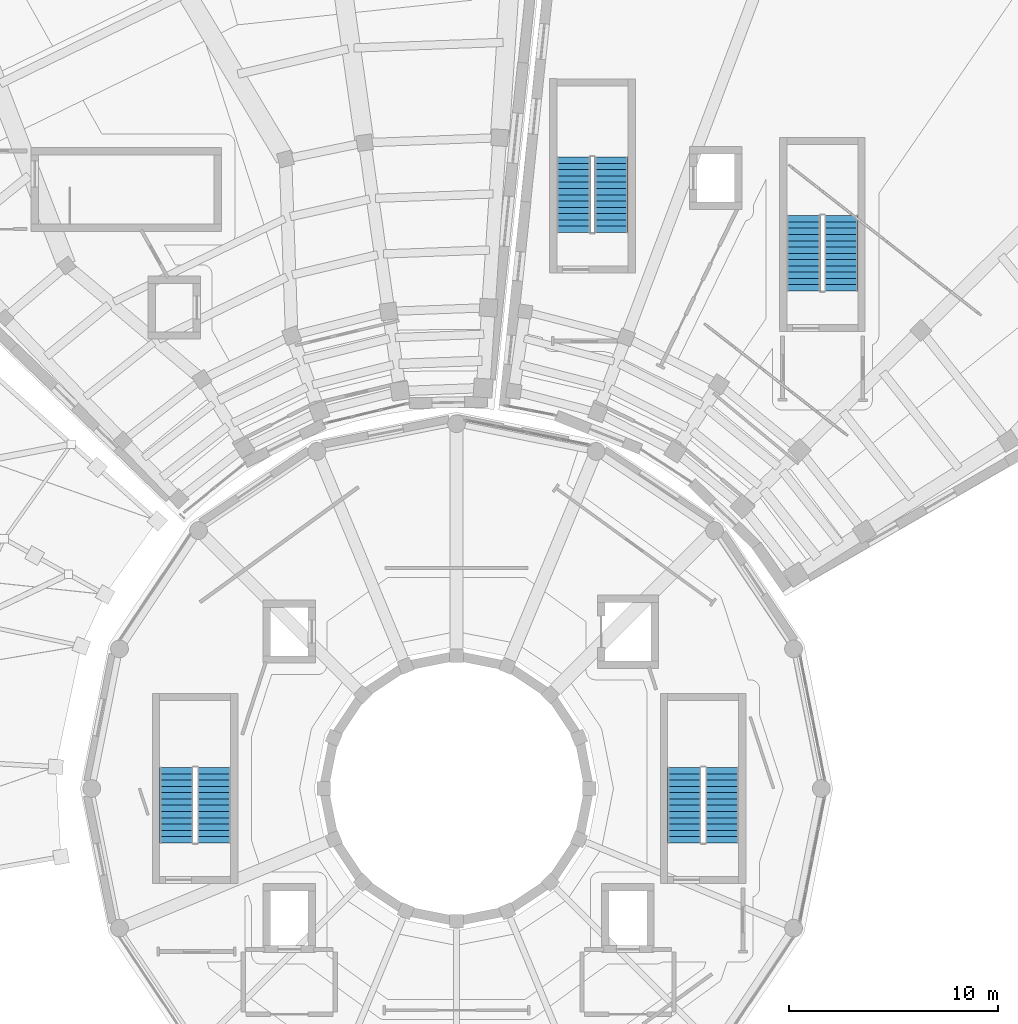
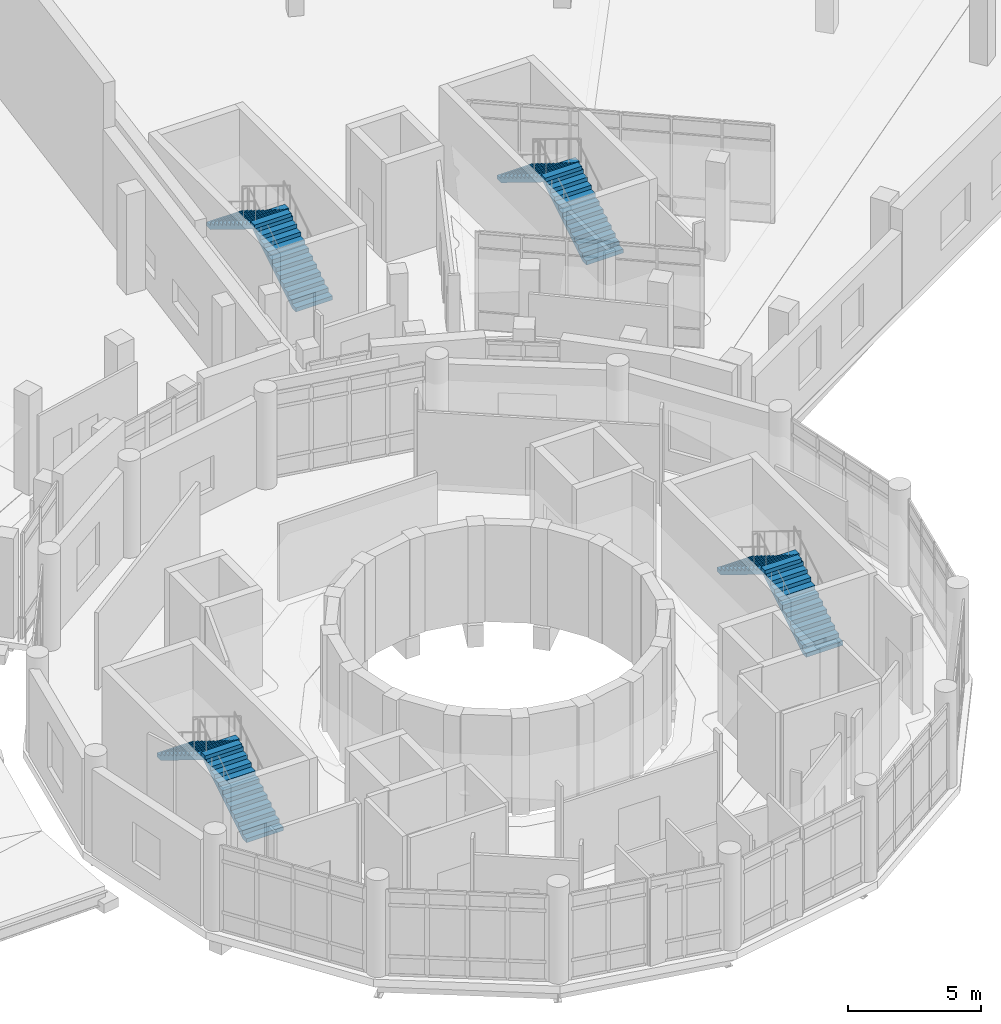
# One storey, part 41 of 49: 8 stair flights, 4 elements without a shape of their own.
"""IFC4 building model written with IfcOpenShell, lengths in metres."""

from ifc_helpers import new_model, si_unit, direction, frame, origin, place, context, subcontext, project, spatial, polyline, outline, extrude, material, type_object, element, aggregate, save


model = new_model("IFC4")

# Units and contexts
model_context = context("Model", 3, precision=1e-05, world=origin(), true_north=direction((0.0, 1.0)))
body_context = subcontext(model_context, "Body", "Model", "MODEL_VIEW")
ifc_project = project(units=[si_unit("LENGTHUNIT", "METRE"), si_unit("AREAUNIT", "SQUARE_METRE"), si_unit("VOLUMEUNIT", "CUBIC_METRE"), si_unit("PLANEANGLEUNIT", "RADIAN"), si_unit("MASSUNIT", "GRAM", prefix="KILO")], contexts=[model_context])

# Site, building, storey
site_placement = place(None, origin())
site = spatial("IfcSite", under=ifc_project, at=site_placement, CompositionType="ELEMENT")
building_placement = place(site_placement, origin())
building = spatial("IfcBuilding", under=site, at=building_placement, Name="Soyqirgoq Riverine Aquarium", CompositionType="ELEMENT")
storey_placement = place(building_placement, frame((0.0, 0.0, 15.0)))
storey = spatial("IfcBuildingStorey", under=building, at=storey_placement, Name="L04", CompositionType="ELEMENT", Elevation=15.0)

# Stair, stair flights
ifc_material_1 = material(Name="Concrete C35/45", Category="concrete")
stair_type = type_object("IfcStairType", Name="CoreDoglegStair_RC", PredefinedType="HALF_TURN_STAIR", material=ifc_material_1)
stair_1_placement = place(storey_placement, origin())
stair_1 = element("IfcStair", 1, at=stair_1_placement, inside=storey, type_object=stair_type, Name="L04 Enclosed Exit Stair ST-1", PredefinedType="HALF_TURN_STAIR")
ifc_material_2 = material(Name="Concrete C35/45", Category="concrete")
stair_flight_type = type_object("IfcStairFlightType", Name="CoreStairFlight_RC", PredefinedType="STRAIGHT", material=ifc_material_2)
stair_flight_1_placement = place(storey_placement, frame((68.699951171875, 54.39990234375, 0.0), z_axis=(0.0, 0.0, 1.0), x_axis=(0.0, 1.0, 0.0)))
stair_flight_1 = element("IfcStairFlight", 2, at=stair_flight_1_placement, type_object=stair_flight_type, Name="ST-1 flight 1", NumberOfRisers=13, NumberOfTreads=12, PredefinedType="STRAIGHT", RiserHeight=0.184615385, TreadLength=0.3, context=body_context, shape_type="SweptSolid", body=[
    extrude(outline(polyline([(0.0, 0.0), (0.0, 0.1845703125), (0.300048828125, 0.1845703125), (0.300048828125, 0.369140625), (0.60009765625, 0.369140625), (0.60009765625, 0.553955078125), (0.89990234375, 0.553955078125), (0.89990234375, 0.738525390625), (1.199951171875, 0.738525390625), (1.199951171875, 0.923095703125), (1.5, 0.923095703125), (1.5, 1.107666015625), (1.800048828125, 1.107666015625), (1.800048828125, 1.292236328125), (2.10009765625, 1.292236328125), (2.10009765625, 1.476806640625), (2.39990234375, 1.476806640625), (2.39990234375, 1.66162109375), (2.699951171875, 1.66162109375), (2.699951171875, 1.84619140625), (3.0, 1.84619140625), (3.0, 2.03076171875), (3.300048828125, 2.03076171875), (3.300048828125, 2.21533203125), (3.60009765625, 2.21533203125), (3.60009765625, 2.39990234375), (3.60009765625, 2.039306640625), (0.2861328125, 0.0), (0.0, 0.0)])), frame((0.0, 0.800048828125, 0.0), z_axis=(0.0, -1.0, 0.0), x_axis=(1.0, 0.0, 0.0)), (0.0, 0.0, 1.0), 1.60009765625),
])
stair_flight_2_placement = place(storey_placement, frame((66.89990234375, 58.0, 2.39990234375), z_axis=(0.0, 0.0, 1.0), x_axis=(0.0, -1.0, 0.0)))
stair_flight_2 = element("IfcStairFlight", 3, at=stair_flight_2_placement, type_object=stair_flight_type, Name="ST-1 flight 2", NumberOfRisers=13, NumberOfTreads=12, PredefinedType="STRAIGHT", RiserHeight=0.184615385, TreadLength=0.3, context=body_context, shape_type="SweptSolid", body=[
    extrude(outline(polyline([(0.0, 0.0), (0.0, 0.1845703125), (0.300048828125, 0.1845703125), (0.300048828125, 0.369140625), (0.60009765625, 0.369140625), (0.60009765625, 0.553955078125), (0.89990234375, 0.553955078125), (0.89990234375, 0.738525390625), (1.199951171875, 0.738525390625), (1.199951171875, 0.923095703125), (1.5, 0.923095703125), (1.5, 1.107666015625), (1.800048828125, 1.107666015625), (1.800048828125, 1.292236328125), (2.10009765625, 1.292236328125), (2.10009765625, 1.476806640625), (2.39990234375, 1.476806640625), (2.39990234375, 1.66162109375), (2.699951171875, 1.66162109375), (2.699951171875, 1.84619140625), (3.0, 1.84619140625), (3.0, 2.03076171875), (3.300048828125, 2.03076171875), (3.300048828125, 2.21533203125), (3.60009765625, 2.21533203125), (3.60009765625, 2.39990234375), (3.60009765625, 2.039306640625), (0.2861328125, 0.0), (0.0, 0.0)])), frame((0.0, 0.800048828125, 0.0), z_axis=(0.0, -1.0, 0.0), x_axis=(1.0, 0.0, 0.0)), (0.0, 0.0, 1.0), 1.60009765625),
])
aggregate(stair_1, [stair_flight_1, stair_flight_2])

stair_2_placement = place(storey_placement, origin())
stair_2 = element("IfcStair", 4, at=stair_2_placement, inside=storey, type_object=stair_type, Name="L04 Enclosed Exit Stair ST-9", PredefinedType="HALF_TURN_STAIR")
stair_flight_3_placement = place(storey_placement, frame((44.39990234375, 54.39990234375, 0.0), z_axis=(0.0, 0.0, 1.0), x_axis=(0.0, 1.0, 0.0)))
stair_flight_3 = element("IfcStairFlight", 5, at=stair_flight_3_placement, type_object=stair_flight_type, Name="ST-9 flight 1", NumberOfRisers=13, NumberOfTreads=12, PredefinedType="STRAIGHT", RiserHeight=0.184615385, TreadLength=0.3, context=body_context, shape_type="SweptSolid", body=[
    extrude(outline(polyline([(0.0, 0.0), (0.0, 0.1845703125), (0.300048828125, 0.1845703125), (0.300048828125, 0.369140625), (0.60009765625, 0.369140625), (0.60009765625, 0.553955078125), (0.89990234375, 0.553955078125), (0.89990234375, 0.738525390625), (1.199951171875, 0.738525390625), (1.199951171875, 0.923095703125), (1.5, 0.923095703125), (1.5, 1.107666015625), (1.800048828125, 1.107666015625), (1.800048828125, 1.292236328125), (2.10009765625, 1.292236328125), (2.10009765625, 1.476806640625), (2.39990234375, 1.476806640625), (2.39990234375, 1.66162109375), (2.699951171875, 1.66162109375), (2.699951171875, 1.84619140625), (3.0, 1.84619140625), (3.0, 2.03076171875), (3.300048828125, 2.03076171875), (3.300048828125, 2.21533203125), (3.60009765625, 2.21533203125), (3.60009765625, 2.39990234375), (3.60009765625, 2.039306640625), (0.2861328125, 0.0), (0.0, 0.0)])), frame((0.0, 0.800048828125, 0.0), z_axis=(0.0, -1.0, 0.0), x_axis=(1.0, 0.0, 0.0)), (0.0, 0.0, 1.0), 1.60009765625),
])
stair_flight_4_placement = place(storey_placement, frame((42.60009765625, 58.0, 2.39990234375), z_axis=(0.0, 0.0, 1.0), x_axis=(0.0, -1.0, 0.0)))
stair_flight_4 = element("IfcStairFlight", 6, at=stair_flight_4_placement, type_object=stair_flight_type, Name="ST-9 flight 2", NumberOfRisers=13, NumberOfTreads=12, PredefinedType="STRAIGHT", RiserHeight=0.184615385, TreadLength=0.3, context=body_context, shape_type="SweptSolid", body=[
    extrude(outline(polyline([(0.0, 0.0), (0.0, 0.1845703125), (0.300048828125, 0.1845703125), (0.300048828125, 0.369140625), (0.60009765625, 0.369140625), (0.60009765625, 0.553955078125), (0.89990234375, 0.553955078125), (0.89990234375, 0.738525390625), (1.199951171875, 0.738525390625), (1.199951171875, 0.923095703125), (1.5, 0.923095703125), (1.5, 1.107666015625), (1.800048828125, 1.107666015625), (1.800048828125, 1.292236328125), (2.10009765625, 1.292236328125), (2.10009765625, 1.476806640625), (2.39990234375, 1.476806640625), (2.39990234375, 1.66162109375), (2.699951171875, 1.66162109375), (2.699951171875, 1.84619140625), (3.0, 1.84619140625), (3.0, 2.03076171875), (3.300048828125, 2.03076171875), (3.300048828125, 2.21533203125), (3.60009765625, 2.21533203125), (3.60009765625, 2.39990234375), (3.60009765625, 2.039306640625), (0.2861328125, 0.0), (0.0, 0.0)])), frame((0.0, 0.800048828125, 0.0), z_axis=(0.0, -1.0, 0.0), x_axis=(1.0, 0.0, 0.0)), (0.0, 0.0, 1.0), 1.60009765625),
])
aggregate(stair_2, [stair_flight_3, stair_flight_4])

stair_3_placement = place(storey_placement, origin())
stair_3 = element("IfcStair", 7, at=stair_3_placement, inside=storey, type_object=stair_type, Name="L04 Enclosed Exit Stair ST-5", PredefinedType="HALF_TURN_STAIR")
stair_flight_5_placement = place(storey_placement, frame((63.39990234375, 83.60009765625, 0.0), z_axis=(0.0, 0.0, 1.0), x_axis=(0.0, 1.0, 0.0)))
stair_flight_5 = element("IfcStairFlight", 8, at=stair_flight_5_placement, type_object=stair_flight_type, Name="ST-5 flight 1", NumberOfRisers=13, NumberOfTreads=12, PredefinedType="STRAIGHT", RiserHeight=0.184615385, TreadLength=0.3, context=body_context, shape_type="SweptSolid", body=[
    extrude(outline(polyline([(0.0, 0.0), (0.0, 0.1845703125), (0.300048828125, 0.1845703125), (0.300048828125, 0.369140625), (0.60009765625, 0.369140625), (0.60009765625, 0.553955078125), (0.89990234375, 0.553955078125), (0.89990234375, 0.738525390625), (1.199951171875, 0.738525390625), (1.199951171875, 0.923095703125), (1.5, 0.923095703125), (1.5, 1.107666015625), (1.800048828125, 1.107666015625), (1.800048828125, 1.292236328125), (2.10009765625, 1.292236328125), (2.10009765625, 1.476806640625), (2.39990234375, 1.476806640625), (2.39990234375, 1.66162109375), (2.699951171875, 1.66162109375), (2.699951171875, 1.84619140625), (3.0, 1.84619140625), (3.0, 2.03076171875), (3.300048828125, 2.03076171875), (3.300048828125, 2.21533203125), (3.60009765625, 2.21533203125), (3.60009765625, 2.39990234375), (3.60009765625, 2.039306640625), (0.2861328125, 0.0), (0.0, 0.0)])), frame((0.0, 0.800048828125, 0.0), z_axis=(0.0, -1.0, 0.0), x_axis=(1.0, 0.0, 0.0)), (0.0, 0.0, 1.0), 1.60009765625),
])
stair_flight_6_placement = place(storey_placement, frame((61.60009765625, 87.199951171875, 2.39990234375), z_axis=(0.0, 0.0, 1.0), x_axis=(0.0, -1.0, 0.0)))
stair_flight_6 = element("IfcStairFlight", 9, at=stair_flight_6_placement, type_object=stair_flight_type, Name="ST-5 flight 2", NumberOfRisers=13, NumberOfTreads=12, PredefinedType="STRAIGHT", RiserHeight=0.184615385, TreadLength=0.3, context=body_context, shape_type="SweptSolid", body=[
    extrude(outline(polyline([(0.0, 0.0), (0.0, 0.1845703125), (0.300048828125, 0.1845703125), (0.300048828125, 0.369140625), (0.60009765625, 0.369140625), (0.60009765625, 0.553955078125), (0.89990234375, 0.553955078125), (0.89990234375, 0.738525390625), (1.199951171875, 0.738525390625), (1.199951171875, 0.923095703125), (1.5, 0.923095703125), (1.5, 1.107666015625), (1.800048828125, 1.107666015625), (1.800048828125, 1.292236328125), (2.10009765625, 1.292236328125), (2.10009765625, 1.476806640625), (2.39990234375, 1.476806640625), (2.39990234375, 1.66162109375), (2.699951171875, 1.66162109375), (2.699951171875, 1.84619140625), (3.0, 1.84619140625), (3.0, 2.03076171875), (3.300048828125, 2.03076171875), (3.300048828125, 2.21533203125), (3.60009765625, 2.21533203125), (3.60009765625, 2.39990234375), (3.60009765625, 2.039306640625), (0.2861328125, 0.0), (0.0, 0.0)])), frame((0.0, 0.800048828125, 0.0), z_axis=(0.0, -1.0, 0.0), x_axis=(1.0, 0.0, 0.0)), (0.0, 0.0, 1.0), 1.60009765625),
])
aggregate(stair_3, [stair_flight_5, stair_flight_6])

stair_4_placement = place(storey_placement, origin())
stair_4 = element("IfcStair", 10, at=stair_4_placement, inside=storey, type_object=stair_type, Name="L04 Enclosed Exit Stair ST-6", PredefinedType="HALF_TURN_STAIR")
stair_flight_7_placement = place(storey_placement, frame((74.39990234375, 80.800048828125, 0.0), z_axis=(0.0, 0.0, 1.0), x_axis=(0.0, 1.0, 0.0)))
stair_flight_7 = element("IfcStairFlight", 11, at=stair_flight_7_placement, type_object=stair_flight_type, Name="ST-6 flight 1", NumberOfRisers=13, NumberOfTreads=12, PredefinedType="STRAIGHT", RiserHeight=0.184615385, TreadLength=0.3, context=body_context, shape_type="SweptSolid", body=[
    extrude(outline(polyline([(0.0, 0.0), (0.0, 0.1845703125), (0.300048828125, 0.1845703125), (0.300048828125, 0.369140625), (0.60009765625, 0.369140625), (0.60009765625, 0.553955078125), (0.89990234375, 0.553955078125), (0.89990234375, 0.738525390625), (1.199951171875, 0.738525390625), (1.199951171875, 0.923095703125), (1.5, 0.923095703125), (1.5, 1.107666015625), (1.800048828125, 1.107666015625), (1.800048828125, 1.292236328125), (2.10009765625, 1.292236328125), (2.10009765625, 1.476806640625), (2.39990234375, 1.476806640625), (2.39990234375, 1.66162109375), (2.699951171875, 1.66162109375), (2.699951171875, 1.84619140625), (3.0, 1.84619140625), (3.0, 2.03076171875), (3.300048828125, 2.03076171875), (3.300048828125, 2.21533203125), (3.60009765625, 2.21533203125), (3.60009765625, 2.39990234375), (3.60009765625, 2.039306640625), (0.2861328125, 0.0), (0.0, 0.0)])), frame((0.0, 0.800048828125, 0.0), z_axis=(0.0, -1.0, 0.0), x_axis=(1.0, 0.0, 0.0)), (0.0, 0.0, 1.0), 1.60009765625),
])
stair_flight_8_placement = place(storey_placement, frame((72.60009765625, 84.39990234375, 2.39990234375), z_axis=(0.0, 0.0, 1.0), x_axis=(0.0, -1.0, 0.0)))
stair_flight_8 = element("IfcStairFlight", 12, at=stair_flight_8_placement, type_object=stair_flight_type, Name="ST-6 flight 2", NumberOfRisers=13, NumberOfTreads=12, PredefinedType="STRAIGHT", RiserHeight=0.184615385, TreadLength=0.3, context=body_context, shape_type="SweptSolid", body=[
    extrude(outline(polyline([(0.0, 0.0), (0.0, 0.1845703125), (0.300048828125, 0.1845703125), (0.300048828125, 0.369140625), (0.60009765625, 0.369140625), (0.60009765625, 0.553955078125), (0.89990234375, 0.553955078125), (0.89990234375, 0.738525390625), (1.199951171875, 0.738525390625), (1.199951171875, 0.923095703125), (1.5, 0.923095703125), (1.5, 1.107666015625), (1.800048828125, 1.107666015625), (1.800048828125, 1.292236328125), (2.10009765625, 1.292236328125), (2.10009765625, 1.476806640625), (2.39990234375, 1.476806640625), (2.39990234375, 1.66162109375), (2.699951171875, 1.66162109375), (2.699951171875, 1.84619140625), (3.0, 1.84619140625), (3.0, 2.03076171875), (3.300048828125, 2.03076171875), (3.300048828125, 2.21533203125), (3.60009765625, 2.21533203125), (3.60009765625, 2.39990234375), (3.60009765625, 2.039306640625), (0.2861328125, 0.0), (0.0, 0.0)])), frame((0.0, 0.800048828125, 0.0), z_axis=(0.0, -1.0, 0.0), x_axis=(1.0, 0.0, 0.0)), (0.0, 0.0, 1.0), 1.60009765625),
])
aggregate(stair_4, [stair_flight_7, stair_flight_8])

save(model, "model.ifc")
